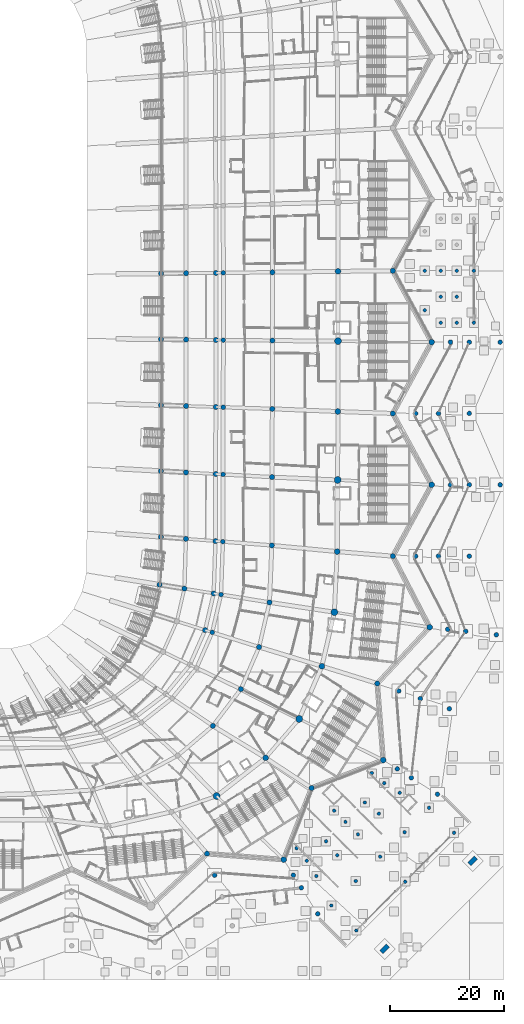
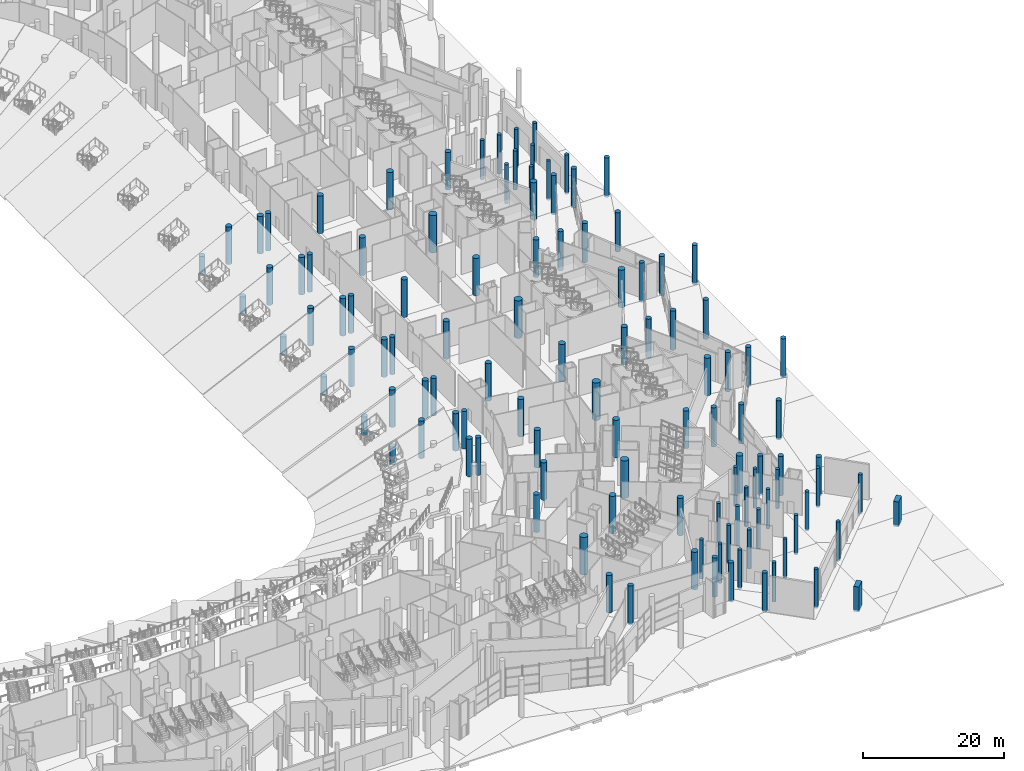
# One storey, part 12 of 255: 114 columns.
"""IFC4 building model written with IfcOpenShell, lengths in metres."""

import ifcopenshell
import ifcopenshell.guid

model = None  # the IFC model being written
_history = None  # IfcOwnerHistory: only IFC2X3 demands one
_inside = {}  # id of a spatial element -> (the spatial element, [elements in it])
_under = {}  # id of a project, library or spatial element -> (it, [spatial elements below it])
_declared = {}  # id of a project -> (the project, [libraries it declares])
_typed = {}  # id of a type object -> (the type object, [elements of that type])
_made_of = {}  # id of a material, layer set ... -> (it, [elements and type objects made of it])


def new_model(schema):
    """Start an empty IFC model of exactly this schema.

    Asked for "IFC4X3", IfcOpenShell would pick the latest addendum, in which some entities
    have other attributes; the version numbers below select the first issue.
    IFC2X3 requires an IfcOwnerHistory on every rooted entity: one is made here for all.
    """
    global model, _history
    if schema == "IFC4X3":
        model = ifcopenshell.file(schema_version=(4, 3, 0, 0))
    else:
        model = ifcopenshell.file(schema=schema)
    _inside.clear()
    _under.clear()
    _declared.clear()
    _typed.clear()
    _made_of.clear()
    _history = None
    if model.schema == "IFC2X3":
        org = make("IfcOrganization", Name="unknown")
        user = make(
            "IfcPersonAndOrganization",
            ThePerson=make("IfcPerson", FamilyName="unknown"),
            TheOrganization=org,
        )
        app = make(
            "IfcApplication",
            ApplicationDeveloper=org,
            Version="unknown",
            ApplicationFullName="unknown",
            ApplicationIdentifier="unknown",
        )
        _history = make(
            "IfcOwnerHistory",
            OwningUser=user,
            OwningApplication=app,
            ChangeAction="ADDED",
            CreationDate=0,
        )
    return model


def make(cls, **values):
    """One entity of the class cls with the attributes given. An attribute that is None is left unset."""
    return model.create_entity(
        cls, **{name: value for name, value in values.items() if value is not None}
    )


def rooted(cls, **values):
    """An entity with a GlobalId (a new one), such as an element, a storey or a relation."""
    return make(cls, GlobalId=ifcopenshell.guid.new(), OwnerHistory=_history, **values)


def si_unit(unit_type, name, prefix=None):
    """IfcSIUnit, for example si_unit("LENGTHUNIT", "METRE", prefix="MILLI")."""
    return make("IfcSIUnit", UnitType=unit_type, Prefix=prefix, Name=name)


def assignment(units):
    """IfcUnitAssignment: the units of a project."""
    return None if units is None else make("IfcUnitAssignment", Units=units)


def point(xyz):
    """IfcCartesianPoint."""
    return None if xyz is None else make("IfcCartesianPoint", Coordinates=xyz)


def direction(xyz):
    """IfcDirection."""
    return None if xyz is None else make("IfcDirection", DirectionRatios=xyz)


def frame(location, z_axis=None, x_axis=None):
    """IfcAxis2Placement3D, a coordinate frame: its origin and axes. An axis left out is left unset."""
    return make(
        "IfcAxis2Placement3D",
        Location=point(location),
        Axis=direction(z_axis),
        RefDirection=direction(x_axis),
    )


def frame_2d(location, x_axis=None):
    """IfcAxis2Placement2D, a coordinate frame in the plane: its origin and x axis."""
    return make(
        "IfcAxis2Placement2D", Location=point(location), RefDirection=direction(x_axis)
    )


def origin():
    """The frame at (0, 0, 0) with its axes left unset."""
    return frame((0.0, 0.0, 0.0))


def origin_2d():
    """The frame at (0, 0) in the plane with its x axis left unset."""
    return frame_2d((0.0, 0.0))


def place(relative_to, where):
    """IfcLocalPlacement: puts the frame where relative to a parent placement (None: the world)."""
    return make(
        "IfcLocalPlacement", PlacementRelTo=relative_to, RelativePlacement=where
    )


def context(
    kind, dimensions, precision=None, world=None, true_north=None, identifier=None
):
    """IfcGeometricRepresentationContext, for example the 3D "Model" context."""
    return make(
        "IfcGeometricRepresentationContext",
        ContextIdentifier=identifier,
        ContextType=kind,
        CoordinateSpaceDimension=dimensions,
        Precision=precision,
        WorldCoordinateSystem=world,
        TrueNorth=true_north,
    )


def subcontext(parent, identifier, kind, view, scale=None):
    """IfcGeometricRepresentationSubContext, for example "Body" below "Model"."""
    return make(
        "IfcGeometricRepresentationSubContext",
        ContextIdentifier=identifier,
        ContextType=kind,
        ParentContext=parent,
        TargetScale=scale,
        TargetView=view,
    )


def project(units=None, contexts=None):
    """IfcProject with its units and contexts."""
    return rooted(
        "IfcProject",
        Name="project",
        RepresentationContexts=contexts,
        UnitsInContext=assignment(units),
    )


def spatial(cls, under=None, at=None, **own):
    """A site, building, storey or space (cls), placed at a placement, below another one or the project."""
    s = rooted(cls, ObjectPlacement=at, **own)
    if under is not None:
        _under.setdefault(under.id(), (under, []))[1].append(s)
    return s


def profile(cls, at=None, kind="AREA", **sizes):
    """A parametric profile (cls). Its sizes go by their IFC names, for example OverallWidth=200.0."""
    return make(cls, ProfileType=kind, Position=at, **sizes)


def rectangle(**sizes):
    """IfcRectangleProfileDef."""
    return profile("IfcRectangleProfileDef", **sizes)


def circle(**sizes):
    """IfcCircleProfileDef."""
    return profile("IfcCircleProfileDef", **sizes)


def extrude(swept, where, along, depth):
    """IfcExtrudedAreaSolid: the profile swept, set in the frame where, extruded along a direction by depth."""
    return make(
        "IfcExtrudedAreaSolid",
        SweptArea=swept,
        Position=where,
        ExtrudedDirection=direction(along),
        Depth=depth,
    )


def shape(context_of_items, identifier, shape_type, items):
    """IfcShapeRepresentation: the items that make up one representation, for example the "Body"."""
    return make(
        "IfcShapeRepresentation",
        ContextOfItems=context_of_items,
        RepresentationIdentifier=identifier,
        RepresentationType=shape_type,
        Items=items,
    )


def material(Name=None, Category=None):
    """IfcMaterial."""
    return make("IfcMaterial", Name=Name, Category=Category)


def material_profile(
    of_material, cross_section, Name=None, Category=None, Priority=None
):
    """IfcMaterialProfile: a cross section and its material."""
    return make(
        "IfcMaterialProfile",
        Name=Name,
        Material=of_material,
        Profile=cross_section,
        Priority=Priority,
        Category=Category,
    )


def profile_set(profiles, Name=None, composite=None):
    """IfcMaterialProfileSet."""
    return make(
        "IfcMaterialProfileSet",
        Name=Name,
        MaterialProfiles=profiles,
        CompositeProfile=composite,
    )


def made_of(thing, what):
    """Note that an element or type object is made of a material, layer set ...; save() writes the relation."""
    if what is not None:
        _made_of.setdefault(what.id(), (what, []))[1].append(thing)
    return thing


def type_object(cls, material=None, **own):
    """A type object (cls), such as IfcWallType, which elements share."""
    return made_of(rooted(cls, **own), material)


def element(
    cls,
    number,
    at=None,
    inside=None,
    cuts=None,
    type_object=None,
    material=None,
    context=None,
    identifier="Body",
    shape_type=None,
    held_by="IfcProductDefinitionShape",
    body=None,
    shapes=None,
    **own,
):
    """One element of the class cls, such as IfcWall. Its Tag is "e" and its number.

    at: its placement. inside: the storey or other place that contains it. cuts: it is an
    opening in that element (IfcRelVoidsElement). A single representation is given by context,
    identifier, shape_type and body (its items); several are given by shapes. held_by: the class
    of the entity that holds the representations. save() writes the other relations.
    """
    e = rooted(cls, Tag="e%d" % number, ObjectPlacement=at, **own)
    if body is not None:
        shapes = [shape(context, identifier, shape_type, body)]
    if shapes is not None:
        e.Representation = make(held_by, Representations=shapes)
    if inside is not None:
        _inside.setdefault(inside.id(), (inside, []))[1].append(e)
    if cuts is not None:
        rooted(
            "IfcRelVoidsElement", RelatingBuildingElement=cuts, RelatedOpeningElement=e
        )
    if type_object is not None:
        _typed.setdefault(type_object.id(), (type_object, []))[1].append(e)
    return made_of(e, material)


def aggregate(whole, parts):
    """IfcRelAggregates: a whole, such as a stair, and the parts it consists of."""
    return rooted("IfcRelAggregates", RelatingObject=whole, RelatedObjects=parts)


def save(model, path):
    """Write the relations noted so far, then the file.

    IfcRelAggregates (storeys below a building ...), IfcRelContainedInSpatialStructure (elements
    in a storey), IfcRelDefinesByType, IfcRelAssociatesMaterial and IfcRelDeclares: one each for
    every whole, place, type object, material and project.
    """
    for whole, parts in _under.values():
        aggregate(whole, parts)
    for where, things in _inside.values():
        rooted(
            "IfcRelContainedInSpatialStructure",
            RelatedElements=things,
            RelatingStructure=where,
        )
    for kind, things in _typed.values():
        rooted("IfcRelDefinesByType", RelatedObjects=things, RelatingType=kind)
    for what, things in _made_of.values():
        rooted("IfcRelAssociatesMaterial", RelatedObjects=things, RelatingMaterial=what)
    for by, libraries in _declared.values():
        rooted("IfcRelDeclares", RelatingContext=by, RelatedDefinitions=libraries)
    model.write(path)


model = new_model("IFC4")

# Units and contexts
model_context = context("Model", 3, precision=1e-05, world=origin(), true_north=direction((0.0, 1.0)))
body_context = subcontext(model_context, "Body", "Model", "MODEL_VIEW")
ifc_project = project(units=[si_unit("LENGTHUNIT", "METRE"), si_unit("AREAUNIT", "SQUARE_METRE"), si_unit("VOLUMEUNIT", "CUBIC_METRE"), si_unit("PLANEANGLEUNIT", "RADIAN"), si_unit("MASSUNIT", "GRAM", prefix="KILO")], contexts=[model_context])

# Site, building, storey
site_placement = place(None, origin())
site = spatial("IfcSite", under=ifc_project, at=site_placement, CompositionType="ELEMENT")
building_placement = place(site_placement, origin())
building = spatial("IfcBuilding", under=site, at=building_placement, Name="Meseta Stadium", CompositionType="ELEMENT")
storey_placement = place(building_placement, origin())
storey = spatial("IfcBuildingStorey", under=building, at=storey_placement, Name="L00", CompositionType="ELEMENT", Elevation=0.0)

# Columns
ifc_material_1 = material(Name="Concrete C40/50", Category="concrete")
ifc_material_profile_1 = material_profile(ifc_material_1, rectangle(XDim=0.800048828125, YDim=1.60009765625, at=origin_2d()), Name="RC 800x1600")
ifc_profile_set_1 = profile_set([ifc_material_profile_1], Name="Concrete C40/50")
column_type_1 = type_object("IfcColumnType", Name="Entrance pylon RC 800x1600", PredefinedType="COLUMN", material=ifc_profile_set_1)
for number, where, z_axis, x_axis, name in (
    (1, (93.1640625, -112.5791015625, -0.300048828125), (0.0, 0.0, 1.0), (0.707106781187, -0.707106781187, 0.0), "Entrance pylon"),
    (2, (108.5791015625, -97.1640625, -0.300048828125), (0.0, 0.0, 1.0), (0.707106781187, -0.707106781187, 0.0), "Entrance pylon"),
):
    element("IfcColumn", number, at=place(storey_placement, frame(where, z_axis=z_axis, x_axis=x_axis)), inside=storey, type_object=column_type_1, Name=name, PredefinedType="COLUMN", context=body_context, shape_type="SweptSolid", body=[
        extrude(rectangle(XDim=0.800048828125, YDim=1.60009765625, at=origin_2d()), origin(), (0.0, 0.0, 1.0), 4.35009765625),
    ])
ifc_material_2 = material(Name="Concrete C40/50", Category="concrete")
ifc_material_profile_2 = material_profile(ifc_material_2, circle(Radius=0.300048828125, at=origin_2d()), Name="RC D600")
ifc_profile_set_2 = profile_set([ifc_material_profile_2], Name="Concrete C40/50")
column_type_2 = type_object("IfcColumnType", Name="Gate column D600", PredefinedType="COLUMN", material=ifc_profile_set_2)
for number, where, z_axis, x_axis, name in (
    (3, (100.199951171875, -0.66748046875, -0.300048828125), (0.0, 0.0, 1.0), (1.0, 0.0, 0.0), "Gate 1 column L00"),
    (4, (100.199951171875, 6.25, -0.300048828125), (0.0, 0.0, 1.0), (1.0, 0.0, 0.0), "Gate 1 column L00"),
    (5, (103.0, -2.85009765625, -0.300048828125), (0.0, 0.0, 1.0), (1.0, 0.0, 0.0), "Gate 1 column L00"),
    (6, (103.0, 1.699951171875, -0.300048828125), (0.0, 0.0, 1.0), (1.0, 0.0, 0.0), "Gate 1 column L00"),
    (7, (103.0, 6.25, -0.300048828125), (0.0, 0.0, 1.0), (1.0, 0.0, 0.0), "Gate 1 column L00"),
    (8, (105.800048828125, -2.85009765625, -0.300048828125), (0.0, 0.0, 1.0), (1.0, 0.0, 0.0), "Gate 1 column L00"),
    (9, (105.800048828125, 1.699951171875, -0.300048828125), (0.0, 0.0, 1.0), (1.0, 0.0, 0.0), "Gate 1 column L00"),
    (10, (105.800048828125, 6.25, -0.300048828125), (0.0, 0.0, 1.0), (1.0, 0.0, 0.0), "Gate 1 column L00"),
    (11, (108.800048828125, -2.85009765625, -0.300048828125), (0.0, 0.0, 1.0), (1.0, 0.0, 0.0), "Gate 1 column L00"),
    (12, (108.800048828125, 6.25, -0.300048828125), (0.0, 0.0, 1.0), (1.0, 0.0, 0.0), "Gate 1 column L00"),
    (13, (77.74169921875, -94.90869140625, -0.300048828125), (0.0, 0.0, 1.0), (1.0, 0.0, 0.0), "Gate 8 column L00"),
    (14, (84.3251953125, -88.3251953125, -0.300048828125), (0.0, 0.0, 1.0), (1.0, 0.0, 0.0), "Gate 8 column L00"),
    (15, (90.90869140625, -81.74169921875, -0.300048828125), (0.0, 0.0, 1.0), (1.0, 0.0, 0.0), "Gate 8 column L00"),
    (16, (79.50927734375, -97.10107421875, -0.300048828125), (0.0, 0.0, 1.0), (1.0, 0.0, 0.0), "Gate 8 column L00"),
    (17, (82.906982421875, -93.703125, -0.300048828125), (0.0, 0.0, 1.0), (1.0, 0.0, 0.0), "Gate 8 column L00"),
    (18, (86.30517578125, -90.30517578125, -0.300048828125), (0.0, 0.0, 1.0), (1.0, 0.0, 0.0), "Gate 8 column L00"),
    (19, (89.703125, -86.906982421875, -0.300048828125), (0.0, 0.0, 1.0), (1.0, 0.0, 0.0), "Gate 8 column L00"),
    (20, (93.10107421875, -83.50927734375, -0.300048828125), (0.0, 0.0, 1.0), (1.0, 0.0, 0.0), "Gate 8 column L00"),
    (21, (81.200927734375, -99.79345703125, -0.300048828125), (0.0, 0.0, 1.0), (1.0, 0.0, 0.0), "Gate 8 column L00"),
    (22, (84.84912109375, -96.145263671875, -0.300048828125), (0.0, 0.0, 1.0), (1.0, 0.0, 0.0), "Gate 8 column L00"),
    (23, (88.4970703125, -92.4970703125, -0.300048828125), (0.0, 0.0, 1.0), (1.0, 0.0, 0.0), "Gate 8 column L00"),
    (24, (92.145263671875, -88.84912109375, -0.300048828125), (0.0, 0.0, 1.0), (1.0, 0.0, 0.0), "Gate 8 column L00"),
    (25, (95.79345703125, -85.200927734375, -0.300048828125), (0.0, 0.0, 1.0), (1.0, 0.0, 0.0), "Gate 8 column L00"),
    (26, (83.830078125, -104.942138671875, -0.300048828125), (0.0, 0.0, 1.0), (1.0, 0.0, 0.0), "Gate 8 column L00"),
    (27, (88.108154296875, -100.664306640625, -0.300048828125), (0.0, 0.0, 1.0), (1.0, 0.0, 0.0), "Gate 8 column L00"),
    (28, (92.38623046875, -96.38623046875, -0.300048828125), (0.0, 0.0, 1.0), (1.0, 0.0, 0.0), "Gate 8 column L00"),
    (29, (96.664306640625, -92.108154296875, -0.300048828125), (0.0, 0.0, 1.0), (1.0, 0.0, 0.0), "Gate 8 column L00"),
    (30, (100.942138671875, -87.830078125, -0.300048828125), (0.0, 0.0, 1.0), (1.0, 0.0, 0.0), "Gate 8 column L00"),
    (31, (88.21435546875, -109.326416015625, -0.300048828125), (0.0, 0.0, 1.0), (1.0, 0.0, 0.0), "Gate 8 column L00"),
    (32, (96.770263671875, -100.770263671875, -0.300048828125), (0.0, 0.0, 1.0), (1.0, 0.0, 0.0), "Gate 8 column L00"),
    (33, (105.326416015625, -92.21435546875, -0.300048828125), (0.0, 0.0, 1.0), (1.0, 0.0, 0.0), "Gate 8 column L00"),
):
    element("IfcColumn", number, at=place(storey_placement, frame(where, z_axis=z_axis, x_axis=x_axis)), inside=storey, type_object=column_type_2, Name=name, PredefinedType="COLUMN", context=body_context, shape_type="SweptSolid", body=[
        extrude(circle(Radius=0.300048828125, at=origin_2d()), origin(), (0.0, 0.0, 1.0), 6.800048828125),
    ])
ifc_material_3 = material(Name="Concrete C40/50", Category="concrete")
ifc_material_profile_3 = material_profile(ifc_material_3, circle(Radius=0.5, at=origin_2d()), Name="RC D1000")
ifc_profile_set_3 = profile_set([ifc_material_profile_3], Name="Concrete C40/50")
column_type_3 = type_object("IfcColumnType", Name="RC column D1000", PredefinedType="COLUMN", material=ifc_profile_set_3)
for number, where, z_axis, x_axis, name in (
    (34, (101.0517578125, -56.202880859375, 0.0), (0.0, 0.0, 1.0), (1.0, 0.0, 0.0), "Column C10 L00 frame 0 line R"),
    (35, (84.85400390625, -42.948486328125, 0.0), (0.0, 0.0, 1.0), (1.0, 0.0, 0.0), "Column C10 L00 frame 1 line P"),
    (36, (101.39990234375, -31.25, 0.0), (0.0, 0.0, 1.0), (1.0, 0.0, 0.0), "Column C10 L00 frame 2 line R"),
    (37, (84.97314453125, -18.41064453125, 0.0), (0.0, 0.0, 1.0), (1.0, 0.0, 0.0), "Column C10 L00 frame 3 line P"),
    (38, (101.39990234375, -6.25, 0.0), (0.0, 0.0, 1.0), (1.0, 0.0, 0.0), "Column C10 L00 frame 4 line R"),
    (39, (84.9970703125, 6.13720703125, 0.0), (0.0, 0.0, 1.0), (1.0, 0.0, 0.0), "Column C10 L00 frame 5 line P"),
    (40, (75.474609375, -96.908447265625, 0.0), (0.0, 0.0, 1.0), (1.0, 0.0, 0.0), "Column C10 L00 frame 52 line R"),
    (41, (72.31201171875, -79.091064453125, 0.0), (0.0, 0.0, 1.0), (1.0, 0.0, 0.0), "Column C10 L00 frame 53 line P"),
    (42, (92.908447265625, -79.474609375, 0.0), (0.0, 0.0, 1.0), (1.0, 0.0, 0.0), "Column C10 L00 frame 54 line R"),
    (43, (82.169189453125, -63.03369140625, 0.0), (0.0, 0.0, 1.0), (1.0, 0.0, 0.0), "Column C10 L00 frame 55 line P"),
):
    element("IfcColumn", number, at=place(storey_placement, frame(where, z_axis=z_axis, x_axis=x_axis)), inside=storey, type_object=column_type_3, Name=name, PredefinedType="COLUMN", context=body_context, shape_type="SweptSolid", body=[
        extrude(circle(Radius=0.5, at=origin_2d()), origin(), (0.0, 0.0, 1.0), 6.5),
    ])
ifc_material_4 = material(Name="Concrete C40/50", Category="concrete")
ifc_material_profile_4 = material_profile(ifc_material_4, circle(Radius=0.60009765625, at=origin_2d()), Name="RC D1200")
ifc_profile_set_4 = profile_set([ifc_material_profile_4], Name="Concrete C40/50")
column_type_4 = type_object("IfcColumnType", Name="RC column D1200", PredefinedType="COLUMN", material=ifc_profile_set_4)
for number, where, z_axis, x_axis, name in (
    (44, (84.36328125, -53.5654296875, 0.0), (0.0, 0.0, 1.0), (1.0, 0.0, 0.0), "Column C12 L00 frame 0 line P"),
    (45, (84.940673828125, -30.404052734375, 0.0), (0.0, 0.0, 1.0), (1.0, 0.0, 0.0), "Column C12 L00 frame 2 line P"),
    (46, (84.99755859375, -6.081298828125, 0.0), (0.0, 0.0, 1.0), (1.0, 0.0, 0.0), "Column C12 L00 frame 4 line P"),
    (47, (63.731201171875, -85.77099609375, 0.0), (0.0, 0.0, 1.0), (1.0, 0.0, 0.0), "Column C12 L00 frame 52 line P"),
    (48, (78.197998046875, -72.27197265625, 0.0), (0.0, 0.0, 1.0), (1.0, 0.0, 0.0), "Column C12 L00 frame 54 line P"),
):
    element("IfcColumn", number, at=place(storey_placement, frame(where, z_axis=z_axis, x_axis=x_axis)), inside=storey, type_object=column_type_4, Name=name, PredefinedType="COLUMN", context=body_context, shape_type="SweptSolid", body=[
        extrude(circle(Radius=0.60009765625, at=origin_2d()), origin(), (0.0, 0.0, 1.0), 6.5),
    ])
ifc_material_5 = material(Name="Concrete C40/50", Category="concrete")
ifc_material_profile_5 = material_profile(ifc_material_5, circle(Radius=0.39990234375, at=origin_2d()), Name="RC D800")
ifc_profile_set_5 = profile_set([ifc_material_profile_5], Name="Concrete C40/50")
column_type_5 = type_object("IfcColumnType", Name="RC column D800", PredefinedType="COLUMN", material=ifc_profile_set_5)
for number, where, z_axis, x_axis, name in (
    (49, (64.501708984375, -50.479736328125, 0.0), (0.0, 0.0, 1.0), (1.0, 0.0, 0.0), "Column C8 L00 frame 0 line D"),
    (50, (64.829833984375, -41.2041015625, 0.0), (0.0, 0.0, 1.0), (1.0, 0.0, 0.0), "Column C8 L00 frame 1 line D"),
    (51, (64.8642578125, -29.433349609375, 0.0), (0.0, 0.0, 1.0), (1.0, 0.0, 0.0), "Column C8 L00 frame 2 line D"),
    (52, (64.886962890625, -17.66064453125, 0.0), (0.0, 0.0, 1.0), (1.0, 0.0, 0.0), "Column C8 L00 frame 3 line D"),
    (53, (64.898681640625, -5.886962890625, 0.0), (0.0, 0.0, 1.0), (1.0, 0.0, 0.0), "Column C8 L00 frame 4 line D"),
    (54, (64.898681640625, 5.886962890625, 0.0), (0.0, 0.0, 1.0), (1.0, 0.0, 0.0), "Column C8 L00 frame 5 line D"),
    (55, (62.963623046875, -57.1044921875, 0.0), (0.0, 0.0, 1.0), (1.0, 0.0, 0.0), "Column C8 L00 frame 55 line D"),
):
    element("IfcColumn", number, at=place(storey_placement, frame(where, z_axis=z_axis, x_axis=x_axis)), inside=storey, type_object=column_type_5, Name=name, PredefinedType="COLUMN", context=body_context, shape_type="SweptSolid", body=[
        extrude(circle(Radius=0.39990234375, at=origin_2d()), origin(), (0.0, 0.0, 1.0), 6.5),
    ])
for number, where, z_axis, x_axis, name in (
    (56, (104.2119140625, -56.558837890625, -0.300048828125), (0.0, 0.0, 1.0), (1.0, 0.0, 0.0), "Ring column C8 L00 frame 0 line M"),
    (57, (107.372314453125, -56.9150390625, -0.300048828125), (0.0, 0.0, 1.0), (1.0, 0.0, 0.0), "Ring column C8 L00 frame 0 line Q"),
    (58, (112.73828125, -57.51953125, -0.300048828125), (0.0, 0.0, 1.0), (1.0, 0.0, 0.0), "Ring column C8 L00 frame 0 line O"),
    (59, (98.60009765625, -43.75, -0.300048828125), (0.0, 0.0, 1.0), (1.0, 0.0, 0.0), "Ring column C8 L00 frame 1 line M"),
    (60, (102.60009765625, -43.75, -0.300048828125), (0.0, 0.0, 1.0), (1.0, 0.0, 0.0), "Ring column C8 L00 frame 1 line Q"),
    (61, (108.0, -43.75, -0.300048828125), (0.0, 0.0, 1.0), (1.0, 0.0, 0.0), "Ring column C8 L00 frame 1 line O"),
    (62, (104.699951171875, -31.25, -0.300048828125), (0.0, 0.0, 1.0), (1.0, 0.0, 0.0), "Ring column C8 L00 frame 2 line M"),
    (63, (108.0, -31.25, -0.300048828125), (0.0, 0.0, 1.0), (1.0, 0.0, 0.0), "Ring column C8 L00 frame 2 line Q"),
    (64, (113.39990234375, -31.25, -0.300048828125), (0.0, 0.0, 1.0), (1.0, 0.0, 0.0), "Ring column C8 L00 frame 2 line O"),
    (65, (98.60009765625, -18.75, -0.300048828125), (0.0, 0.0, 1.0), (1.0, 0.0, 0.0), "Ring column C8 L00 frame 3 line M"),
    (66, (102.60009765625, -18.75, -0.300048828125), (0.0, 0.0, 1.0), (1.0, 0.0, 0.0), "Ring column C8 L00 frame 3 line Q"),
    (67, (108.0, -18.75, -0.300048828125), (0.0, 0.0, 1.0), (1.0, 0.0, 0.0), "Ring column C8 L00 frame 3 line O"),
    (68, (104.699951171875, -6.25, -0.300048828125), (0.0, 0.0, 1.0), (1.0, 0.0, 0.0), "Ring column C8 L00 frame 4 line M"),
    (69, (108.0, -6.25, -0.300048828125), (0.0, 0.0, 1.0), (1.0, 0.0, 0.0), "Ring column C8 L00 frame 4 line Q"),
    (70, (113.39990234375, -6.25, -0.300048828125), (0.0, 0.0, 1.0), (1.0, 0.0, 0.0), "Ring column C8 L00 frame 4 line O"),
    (71, (63.372802734375, -99.648193359375, -0.300048828125), (0.0, 0.0, 1.0), (1.0, 0.0, 0.0), "Ring column C8 L00 frame 51 line M"),
    (72, (77.187255859375, -99.63427734375, -0.300048828125), (0.0, 0.0, 1.0), (1.0, 0.0, 0.0), "Ring column C8 L00 frame 52 line M"),
    (73, (78.580810546875, -101.851806640625, -0.300048828125), (0.0, 0.0, 1.0), (1.0, 0.0, 0.0), "Ring column C8 L00 frame 52 line Q"),
    (74, (81.45361328125, -106.42431640625, -0.300048828125), (0.0, 0.0, 1.0), (1.0, 0.0, 0.0), "Ring column C8 L00 frame 52 line O"),
    (75, (95.380126953125, -81.027587890625, -0.300048828125), (0.0, 0.0, 1.0), (1.0, 0.0, 0.0), "Ring column C8 L00 frame 54 line M"),
    (76, (97.851806640625, -82.580810546875, -0.300048828125), (0.0, 0.0, 1.0), (1.0, 0.0, 0.0), "Ring column C8 L00 frame 54 line Q"),
    (77, (102.42431640625, -85.45361328125, -0.300048828125), (0.0, 0.0, 1.0), (1.0, 0.0, 0.0), "Ring column C8 L00 frame 54 line O"),
    (78, (95.648193359375, -67.372802734375, -0.300048828125), (0.0, 0.0, 1.0), (1.0, 0.0, 0.0), "Ring column C8 L00 frame 55 line M"),
    (79, (99.423828125, -68.69384765625, -0.300048828125), (0.0, 0.0, 1.0), (1.0, 0.0, 0.0), "Ring column C8 L00 frame 55 line Q"),
    (80, (104.520751953125, -70.477294921875, -0.300048828125), (0.0, 0.0, 1.0), (1.0, 0.0, 0.0), "Ring column C8 L00 frame 55 line O"),
):
    element("IfcColumn", number, at=place(storey_placement, frame(where, z_axis=z_axis, x_axis=x_axis)), inside=storey, type_object=column_type_5, Name=name, PredefinedType="COLUMN", context=body_context, shape_type="SweptSolid", body=[
        extrude(circle(Radius=0.39990234375, at=origin_2d()), origin(), (0.0, 0.0, 1.0), 6.800048828125),
    ])
ifc_material_6 = material(Name="Concrete C40/50", Category="concrete")
ifc_material_profile_6 = material_profile(ifc_material_6, circle(Radius=0.449951171875, at=origin_2d()), Name="RC D900")
ifc_profile_set_6 = profile_set([ifc_material_profile_6], Name="Concrete C40/50")
column_type_6 = type_object("IfcColumnType", Name="RC column D900", PredefinedType="COLUMN", material=ifc_profile_set_6)
column_1_placement = place(storey_placement, frame((53.740234375, -48.74658203125, 0.0), z_axis=(0.0, 0.0, 1.0), x_axis=(1.0, 0.0, 0.0)))
element("IfcColumn", 81, at=column_1_placement, inside=storey, type_object=column_type_6, Name="Column C9 L00 frame 0 line B", PredefinedType="COLUMN", context=body_context, shape_type="SweptSolid", body=[
    extrude(circle(Radius=0.449951171875, at=origin_2d()), origin(), (0.0, 0.0, 1.0), 3.1513671875),
])
for number, where, z_axis, x_axis, name in (
    (82, (58.084228515625, -49.4462890625, 0.0), (0.0, 0.0, 1.0), (1.0, 0.0, 0.0), "Column C9 L00 frame 0 line U"),
    (83, (63.21826171875, -50.27294921875, 0.0), (0.0, 0.0, 1.0), (1.0, 0.0, 0.0), "Column C9 L00 frame 0 line C"),
    (84, (72.9921875, -51.84716796875, 0.0), (0.0, 0.0, 1.0), (1.0, 0.0, 0.0), "Column C9 L00 frame 0 line E"),
):
    element("IfcColumn", number, at=place(storey_placement, frame(where, z_axis=z_axis, x_axis=x_axis)), inside=storey, type_object=column_type_6, Name=name, PredefinedType="COLUMN", context=body_context, shape_type="SweptSolid", body=[
        extrude(circle(Radius=0.449951171875, at=origin_2d()), origin(), (0.0, 0.0, 1.0), 6.5),
    ])
column_2_placement = place(storey_placement, frame((53.9619140625, -40.369873046875, 0.0), z_axis=(0.0, 0.0, 1.0), x_axis=(1.0, 0.0, 0.0)))
element("IfcColumn", 85, at=column_2_placement, inside=storey, type_object=column_type_6, Name="Column C9 L00 frame 1 line B", PredefinedType="COLUMN", context=body_context, shape_type="SweptSolid", body=[
    extrude(circle(Radius=0.449951171875, at=origin_2d()), origin(), (0.0, 0.0, 1.0), 3.1494140625),
])
for number, where, z_axis, x_axis, name in (
    (86, (58.348876953125, -40.70654296875, 0.0), (0.0, 0.0, 1.0), (1.0, 0.0, 0.0), "Column C9 L00 frame 1 line U"),
    (87, (63.53369140625, -41.1044921875, 0.0), (0.0, 0.0, 1.0), (1.0, 0.0, 0.0), "Column C9 L00 frame 1 line C"),
    (88, (73.40478515625, -41.8623046875, 0.0), (0.0, 0.0, 1.0), (1.0, 0.0, 0.0), "Column C9 L00 frame 1 line E"),
    (89, (94.60009765625, -43.75, 0.0), (0.0, 0.0, 1.0), (1.0, 0.0, 0.0), "Column C9 L00 frame 1 line R"),
):
    element("IfcColumn", number, at=place(storey_placement, frame(where, z_axis=z_axis, x_axis=x_axis)), inside=storey, type_object=column_type_6, Name=name, PredefinedType="COLUMN", context=body_context, shape_type="SweptSolid", body=[
        extrude(circle(Radius=0.449951171875, at=origin_2d()), origin(), (0.0, 0.0, 1.0), 6.5),
    ])
column_3_placement = place(storey_placement, frame((53.98046875, -28.836669921875, 0.0), z_axis=(0.0, 0.0, 1.0), x_axis=(1.0, 0.0, 0.0)))
element("IfcColumn", 90, at=column_3_placement, inside=storey, type_object=column_type_6, Name="Column C9 L00 frame 2 line B", PredefinedType="COLUMN", context=body_context, shape_type="SweptSolid", body=[
    extrude(circle(Radius=0.449951171875, at=origin_2d()), origin(), (0.0, 0.0, 1.0), 3.086669921875),
])
for number, where, z_axis, x_axis, name in (
    (91, (58.3740234375, -29.07763671875, 0.0), (0.0, 0.0, 1.0), (1.0, 0.0, 0.0), "Column C9 L00 frame 2 line U"),
    (92, (63.566162109375, -29.362060546875, 0.0), (0.0, 0.0, 1.0), (1.0, 0.0, 0.0), "Column C9 L00 frame 2 line C"),
    (93, (73.451171875, -29.904052734375, 0.0), (0.0, 0.0, 1.0), (1.0, 0.0, 0.0), "Column C9 L00 frame 2 line E"),
):
    element("IfcColumn", number, at=place(storey_placement, frame(where, z_axis=z_axis, x_axis=x_axis)), inside=storey, type_object=column_type_6, Name=name, PredefinedType="COLUMN", context=body_context, shape_type="SweptSolid", body=[
        extrude(circle(Radius=0.449951171875, at=origin_2d()), origin(), (0.0, 0.0, 1.0), 6.5),
    ])
column_4_placement = place(storey_placement, frame((53.992919921875, -17.302490234375, 0.0), z_axis=(0.0, 0.0, 1.0), x_axis=(1.0, 0.0, 0.0)))
element("IfcColumn", 94, at=column_4_placement, inside=storey, type_object=column_type_6, Name="Column C9 L00 frame 3 line B", PredefinedType="COLUMN", context=body_context, shape_type="SweptSolid", body=[
    extrude(circle(Radius=0.449951171875, at=origin_2d()), origin(), (0.0, 0.0, 1.0), 3.02392578125),
])
for number, where, z_axis, x_axis, name in (
    (95, (58.390625, -17.447021484375, 0.0), (0.0, 0.0, 1.0), (1.0, 0.0, 0.0), "Column C9 L00 frame 3 line U"),
    (96, (63.587890625, -17.617919921875, 0.0), (0.0, 0.0, 1.0), (1.0, 0.0, 0.0), "Column C9 L00 frame 3 line C"),
    (97, (73.482421875, -17.943603515625, 0.0), (0.0, 0.0, 1.0), (1.0, 0.0, 0.0), "Column C9 L00 frame 3 line E"),
    (98, (94.60009765625, -18.75, 0.0), (0.0, 0.0, 1.0), (1.0, 0.0, 0.0), "Column C9 L00 frame 3 line R"),
):
    element("IfcColumn", number, at=place(storey_placement, frame(where, z_axis=z_axis, x_axis=x_axis)), inside=storey, type_object=column_type_6, Name=name, PredefinedType="COLUMN", context=body_context, shape_type="SweptSolid", body=[
        extrude(circle(Radius=0.449951171875, at=origin_2d()), origin(), (0.0, 0.0, 1.0), 6.5),
    ])
column_5_placement = place(storey_placement, frame((53.999267578125, -5.767578125, 0.0), z_axis=(0.0, 0.0, 1.0), x_axis=(1.0, 0.0, 0.0)))
element("IfcColumn", 99, at=column_5_placement, inside=storey, type_object=column_type_6, Name="Column C9 L00 frame 4 line B", PredefinedType="COLUMN", context=body_context, shape_type="SweptSolid", body=[
    extrude(circle(Radius=0.449951171875, at=origin_2d()), origin(), (0.0, 0.0, 1.0), 2.9609375),
])
for number, where, z_axis, x_axis, name in (
    (100, (58.39892578125, -5.815673828125, 0.0), (0.0, 0.0, 1.0), (1.0, 0.0, 0.0), "Column C9 L00 frame 4 line U"),
    (101, (63.5986328125, -5.872802734375, 0.0), (0.0, 0.0, 1.0), (1.0, 0.0, 0.0), "Column C9 L00 frame 4 line C"),
    (102, (73.498046875, -5.9814453125, 0.0), (0.0, 0.0, 1.0), (1.0, 0.0, 0.0), "Column C9 L00 frame 4 line E"),
):
    element("IfcColumn", number, at=place(storey_placement, frame(where, z_axis=z_axis, x_axis=x_axis)), inside=storey, type_object=column_type_6, Name=name, PredefinedType="COLUMN", context=body_context, shape_type="SweptSolid", body=[
        extrude(circle(Radius=0.449951171875, at=origin_2d()), origin(), (0.0, 0.0, 1.0), 6.5),
    ])
column_6_placement = place(storey_placement, frame((53.999267578125, 5.767578125, 0.0), z_axis=(0.0, 0.0, 1.0), x_axis=(1.0, 0.0, 0.0)))
element("IfcColumn", 103, at=column_6_placement, inside=storey, type_object=column_type_6, Name="Column C9 L00 frame 5 line B", PredefinedType="COLUMN", context=body_context, shape_type="SweptSolid", body=[
    extrude(circle(Radius=0.449951171875, at=origin_2d()), origin(), (0.0, 0.0, 1.0), 2.9609375),
])
for number, where, z_axis, x_axis, name in (
    (104, (58.39892578125, 5.815673828125, 0.0), (0.0, 0.0, 1.0), (1.0, 0.0, 0.0), "Column C9 L00 frame 5 line U"),
    (105, (63.5986328125, 5.872802734375, 0.0), (0.0, 0.0, 1.0), (1.0, 0.0, 0.0), "Column C9 L00 frame 5 line C"),
    (106, (73.498046875, 5.9814453125, 0.0), (0.0, 0.0, 1.0), (1.0, 0.0, 0.0), "Column C9 L00 frame 5 line E"),
    (107, (94.60009765625, 6.25, 0.0), (0.0, 0.0, 1.0), (1.0, 0.0, 0.0), "Column C9 L00 frame 5 line R"),
    (108, (62.051513671875, -95.872802734375, 0.0), (0.0, 0.0, 1.0), (1.0, 0.0, 0.0), "Column C9 L00 frame 51 line R"),
    (109, (63.068115234375, -73.469970703125, 0.0), (0.0, 0.0, 1.0), (1.0, 0.0, 0.0), "Column C9 L00 frame 53 line E"),
    (110, (80.365478515625, -84.365478515625, 0.0), (0.0, 0.0, 1.0), (1.0, 0.0, 0.0), "Column C9 L00 frame 53 line R"),
    (111, (67.972412109375, -67.057861328125, 0.0), (0.0, 0.0, 1.0), (1.0, 0.0, 0.0), "Column C9 L00 frame 54 line E"),
    (112, (61.72314453125, -56.715576171875, 0.0), (0.0, 0.0, 1.0), (1.0, 0.0, 0.0), "Column C9 L00 frame 55 line C"),
    (113, (71.169677734375, -59.67724609375, 0.0), (0.0, 0.0, 1.0), (1.0, 0.0, 0.0), "Column C9 L00 frame 55 line E"),
    (114, (91.872802734375, -66.051513671875, 0.0), (0.0, 0.0, 1.0), (1.0, 0.0, 0.0), "Column C9 L00 frame 55 line R"),
):
    element("IfcColumn", number, at=place(storey_placement, frame(where, z_axis=z_axis, x_axis=x_axis)), inside=storey, type_object=column_type_6, Name=name, PredefinedType="COLUMN", context=body_context, shape_type="SweptSolid", body=[
        extrude(circle(Radius=0.449951171875, at=origin_2d()), origin(), (0.0, 0.0, 1.0), 6.5),
    ])

save(model, "model.ifc")
